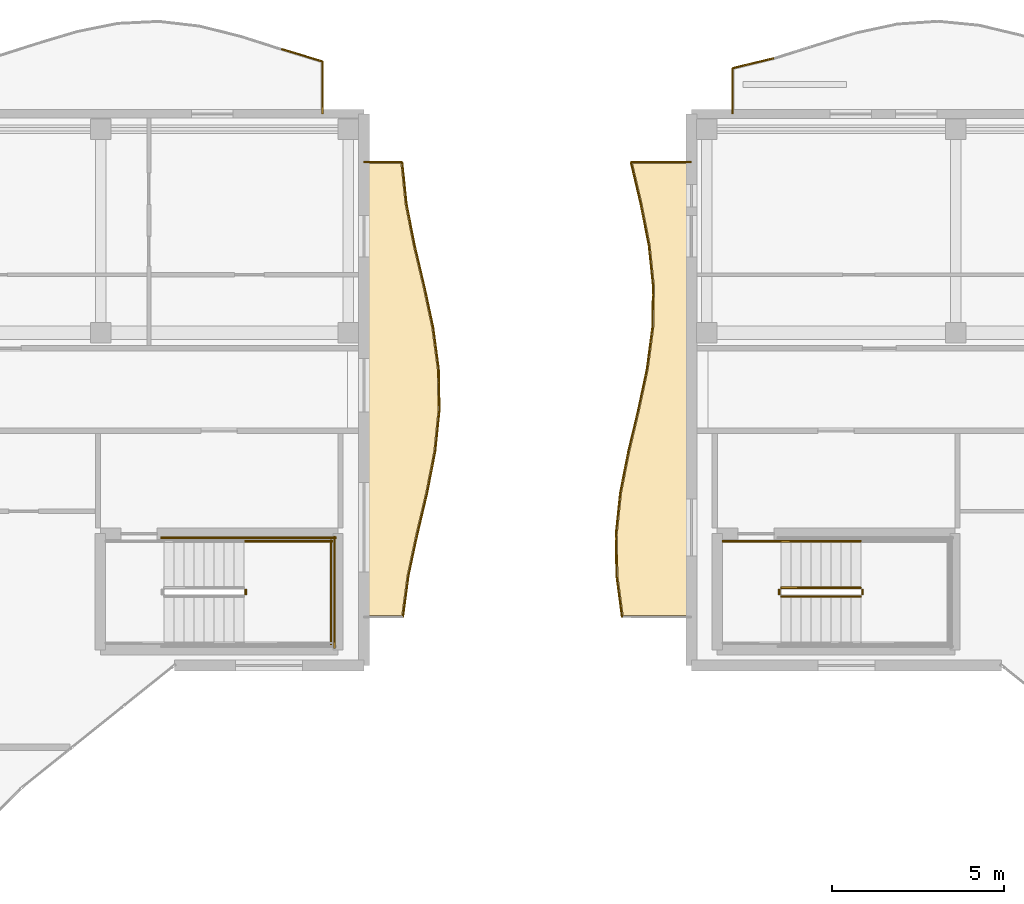
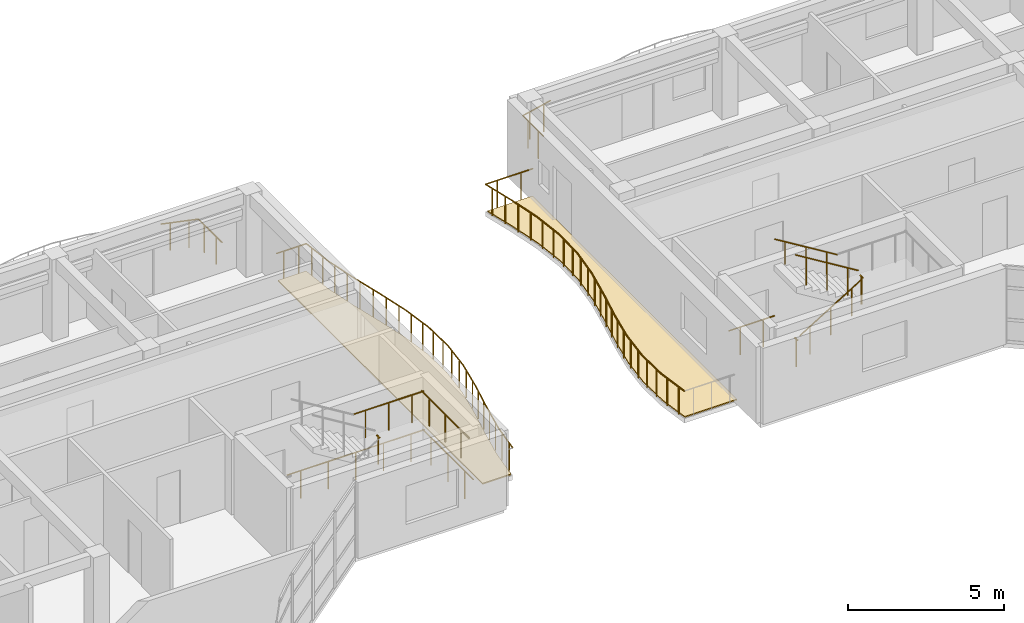
# One storey, part 70 of 72: 39 railings, 2 coverings.
"""IFC4 building model written with IfcOpenShell, lengths in metres."""

from ifc_helpers import new_model, si_unit, direction, frame, origin, origin_2d, place, context, subcontext, project, spatial, polyline, circle, outline, extrude, material, layer, layer_set, type_object, element, save


model = new_model("IFC4")

# Units and contexts
model_context = context("Model", 3, precision=1e-05, world=origin(), true_north=direction((0.0, 1.0)))
body_context = subcontext(model_context, "Body", "Model", "MODEL_VIEW")
ifc_project = project(units=[si_unit("LENGTHUNIT", "METRE"), si_unit("AREAUNIT", "SQUARE_METRE"), si_unit("VOLUMEUNIT", "CUBIC_METRE"), si_unit("PLANEANGLEUNIT", "RADIAN"), si_unit("MASSUNIT", "GRAM", prefix="KILO")], contexts=[model_context])

# Site, building, storey
site_placement = place(None, origin())
site = spatial("IfcSite", under=ifc_project, at=site_placement, CompositionType="ELEMENT")
building_placement = place(site_placement, origin())
building = spatial("IfcBuilding", under=site, at=building_placement, Name="Keldmere Railside Commons", CompositionType="ELEMENT")
storey_placement = place(building_placement, frame((0.0, 0.0, 16.9599609375)))
storey = spatial("IfcBuildingStorey", under=building, at=storey_placement, Name="L05", CompositionType="ELEMENT", Elevation=16.9599609375)

# Railings
ifc_material_1 = material(Name="Steel F-24 (S235)", Category="steel")
railing_type_1 = type_object("IfcRailingType", Name="Balcony & Terrace Steel Balustrade 1100", PredefinedType="BALUSTRADE", material=ifc_material_1)
railing_1_placement = place(storey_placement, frame((135.111328125, 117.88134765625, 0.0)))
element("IfcRailing", 1, at=railing_1_placement, inside=storey, type_object=railing_type_1, Name="GR-1 GRD-L05-2403", PredefinedType="BALUSTRADE", context=body_context, shape_type="SweptSolid", body=[
    extrude(circle(Radius=0.02392578125, at=origin_2d()), frame((0.0, 0.0, 1.076171875), z_axis=(0.9568308171, -0.290645466932, 0.0), x_axis=(0.290645466932, 0.9568308171, 0.0)), (0.0, 0.0, 1.0), 1.242431640625),
    extrude(circle(Radius=0.02099609375, at=origin_2d()), frame((0.297119140625, -0.09033203125, 0.0)), (0.0, 0.0, 1.0), 1.048095703125),
    extrude(circle(Radius=0.02099609375, at=origin_2d()), frame((0.8916015625, -0.270751953125, 0.0)), (0.0, 0.0, 1.0), 1.048095703125),
])
railing_2_placement = place(storey_placement, frame((136.300048828125, 117.520263671875, 0.0)))
element("IfcRailing", 2, at=railing_2_placement, inside=storey, type_object=railing_type_1, Name="GR-1 GRD-L05-2404", PredefinedType="BALUSTRADE", context=body_context, shape_type="SweptSolid", body=[
    extrude(circle(Radius=0.02392578125, at=origin_2d()), frame((0.0, 0.0, 1.076171875), z_axis=(0.0, -1.0, 0.0), x_axis=(1.0, 0.0, 0.0)), (0.0, 0.0, 1.0), 1.520263671875),
    extrude(circle(Radius=0.02099609375, at=origin_2d()), frame((0.0, -0.380126953125, 0.0)), (0.0, 0.0, 1.0), 1.048095703125),
    extrude(circle(Radius=0.02099609375, at=origin_2d()), frame((0.0, -1.14013671875, 0.0)), (0.0, 0.0, 1.0), 1.048095703125),
])
railing_3_placement = place(storey_placement, frame((138.631103515625, 101.39990234375, 0.0)))
element("IfcRailing", 3, at=railing_3_placement, inside=storey, type_object=railing_type_1, Name="GR-1 GRD-L05-2461", PredefinedType="BALUSTRADE", context=body_context, shape_type="SweptSolid", body=[
    extrude(circle(Radius=0.02392578125, at=origin_2d()), frame((0.0, 0.0, 1.076171875), z_axis=(0.132665550512, 0.991160860662, 0.0), x_axis=(-0.991160860662, 0.132665550512, 0.0)), (0.0, 0.0, 1.0), 1.2109375),
    extrude(circle(Radius=0.02099609375, at=origin_2d()), frame((0.0400390625, 0.300048828125, 0.0)), (0.0, 0.0, 1.0), 1.048095703125),
    extrude(circle(Radius=0.02099609375, at=origin_2d()), frame((0.12060546875, 0.900146484375, 0.0)), (0.0, 0.0, 1.0), 1.048095703125),
])
railing_4_placement = place(storey_placement, frame((138.791748046875, 102.60009765625, 0.0)))
element("IfcRailing", 4, at=railing_4_placement, inside=storey, type_object=railing_type_1, Name="GR-1 GRD-L05-2462", PredefinedType="BALUSTRADE", context=body_context, shape_type="SweptSolid", body=[
    extrude(circle(Radius=0.02392578125, at=origin_2d()), frame((0.0, 0.0, 1.076171875), z_axis=(0.20910785461, 0.977892583641, 0.0), x_axis=(-0.977892583641, 0.20910785461, 0.0)), (0.0, 0.0, 1.0), 1.22705078125),
    extrude(circle(Radius=0.02099609375, at=origin_2d()), frame((0.064208984375, 0.300048828125, 0.0)), (0.0, 0.0, 1.0), 1.048095703125),
    extrude(circle(Radius=0.02099609375, at=origin_2d()), frame((0.1923828125, 0.89990234375, 0.0)), (0.0, 0.0, 1.0), 1.048095703125),
])
railing_5_placement = place(storey_placement, frame((139.04833984375, 103.800048828125, 0.0)))
element("IfcRailing", 5, at=railing_5_placement, inside=storey, type_object=railing_type_1, Name="GR-1 GRD-L05-2463", PredefinedType="BALUSTRADE", context=body_context, shape_type="SweptSolid", body=[
    extrude(circle(Radius=0.02392578125, at=origin_2d()), frame((0.0, 0.0, 1.076171875), z_axis=(0.230264103004, 0.973128173915, 0.0), x_axis=(-0.973128173915, 0.230264103004, 0.0)), (0.0, 0.0, 1.0), 1.233154296875),
    extrude(circle(Radius=0.02099609375, at=origin_2d()), frame((0.071044921875, 0.300048828125, 0.0)), (0.0, 0.0, 1.0), 1.048095703125),
    extrude(circle(Radius=0.02099609375, at=origin_2d()), frame((0.212890625, 0.89990234375, 0.0)), (0.0, 0.0, 1.0), 1.048095703125),
])
railing_6_placement = place(storey_placement, frame((139.332275390625, 105.0, 0.0)))
element("IfcRailing", 6, at=railing_6_placement, inside=storey, type_object=railing_type_1, Name="GR-1 GRD-L05-2464", PredefinedType="BALUSTRADE", context=body_context, shape_type="SweptSolid", body=[
    extrude(circle(Radius=0.02392578125, at=origin_2d()), frame((0.0, 0.0, 1.076171875), z_axis=(0.192082676456, 0.981378747174, 0.0), x_axis=(-0.981378747174, 0.192082676456, 0.0)), (0.0, 0.0, 1.0), 1.22265625),
    extrude(circle(Radius=0.02099609375, at=origin_2d()), frame((0.05859375, 0.300048828125, 0.0)), (0.0, 0.0, 1.0), 1.048095703125),
    extrude(circle(Radius=0.02099609375, at=origin_2d()), frame((0.17626953125, 0.89990234375, 0.0)), (0.0, 0.0, 1.0), 1.048095703125),
])
railing_7_placement = place(storey_placement, frame((139.567138671875, 106.199951171875, 0.0)))
element("IfcRailing", 7, at=railing_7_placement, inside=storey, type_object=railing_type_1, Name="GR-1 GRD-L05-2465", PredefinedType="BALUSTRADE", context=body_context, shape_type="SweptSolid", body=[
    extrude(circle(Radius=0.02392578125, at=origin_2d()), frame((0.0, 0.0, 1.076171875), z_axis=(0.102208608031, 0.99476298707, 0.0), x_axis=(-0.99476298707, 0.102208608031, 0.0)), (0.0, 0.0, 1.0), 1.206298828125),
    extrude(circle(Radius=0.02099609375, at=origin_2d()), frame((0.03076171875, 0.300048828125, 0.0)), (0.0, 0.0, 1.0), 1.048095703125),
    extrude(circle(Radius=0.02099609375, at=origin_2d()), frame((0.092529296875, 0.89990234375, 0.0)), (0.0, 0.0, 1.0), 1.048095703125),
])
railing_8_placement = place(storey_placement, frame((139.6904296875, 107.39990234375, 0.0)))
element("IfcRailing", 8, at=railing_8_placement, inside=storey, type_object=railing_type_1, Name="GR-1 GRD-L05-2466", PredefinedType="BALUSTRADE", context=body_context, shape_type="SweptSolid", body=[
    extrude(circle(Radius=0.02392578125, at=origin_2d()), frame((0.0, 0.0, 1.076171875), z_axis=(-0.01789786497, 0.999839820386, 0.0), x_axis=(-0.999839820386, -0.01789786497, 0.0)), (0.0, 0.0, 1.0), 1.200439453125),
    extrude(circle(Radius=0.02099609375, at=origin_2d()), frame((-0.00537109375, 0.300048828125, 0.0)), (0.0, 0.0, 1.0), 1.048095703125),
    extrude(circle(Radius=0.02099609375, at=origin_2d()), frame((-0.01611328125, 0.900146484375, 0.0)), (0.0, 0.0, 1.0), 1.048095703125),
])
railing_9_placement = place(storey_placement, frame((139.6689453125, 108.60009765625, 0.0)))
element("IfcRailing", 9, at=railing_9_placement, inside=storey, type_object=railing_type_1, Name="GR-1 GRD-L05-2467", PredefinedType="BALUSTRADE", context=body_context, shape_type="SweptSolid", body=[
    extrude(circle(Radius=0.02392578125, at=origin_2d()), frame((0.0, 0.0, 1.076171875), z_axis=(-0.13269206728, 0.991157311067, 0.0), x_axis=(-0.991157311067, -0.13269206728, 0.0)), (0.0, 0.0, 1.0), 1.210693359375),
    extrude(circle(Radius=0.02099609375, at=origin_2d()), frame((-0.0400390625, 0.300048828125, 0.0)), (0.0, 0.0, 1.0), 1.048095703125),
    extrude(circle(Radius=0.02099609375, at=origin_2d()), frame((-0.12060546875, 0.89990234375, 0.0)), (0.0, 0.0, 1.0), 1.048095703125),
])
railing_10_placement = place(storey_placement, frame((139.50830078125, 109.800048828125, 0.0)))
element("IfcRailing", 10, at=railing_10_placement, inside=storey, type_object=railing_type_1, Name="GR-1 GRD-L05-2468", PredefinedType="BALUSTRADE", context=body_context, shape_type="SweptSolid", body=[
    extrude(circle(Radius=0.02392578125, at=origin_2d()), frame((0.0, 0.0, 1.076171875), z_axis=(-0.20910785461, 0.977892583641, 0.0), x_axis=(-0.977892583641, -0.20910785461, 0.0)), (0.0, 0.0, 1.0), 1.22705078125),
    extrude(circle(Radius=0.02099609375, at=origin_2d()), frame((-0.064208984375, 0.300048828125, 0.0)), (0.0, 0.0, 1.0), 1.048095703125),
    extrude(circle(Radius=0.02099609375, at=origin_2d()), frame((-0.1923828125, 0.89990234375, 0.0)), (0.0, 0.0, 1.0), 1.048095703125),
])
railing_11_placement = place(storey_placement, frame((139.251708984375, 111.0, 0.0)))
element("IfcRailing", 11, at=railing_11_placement, inside=storey, type_object=railing_type_1, Name="GR-1 GRD-L05-2469", PredefinedType="BALUSTRADE", context=body_context, shape_type="SweptSolid", body=[
    extrude(circle(Radius=0.02392578125, at=origin_2d()), frame((0.0, 0.0, 1.076171875), z_axis=(-0.230264103004, 0.973128173915, 0.0), x_axis=(-0.973128173915, -0.230264103004, 0.0)), (0.0, 0.0, 1.0), 1.233154296875),
    extrude(circle(Radius=0.02099609375, at=origin_2d()), frame((-0.071044921875, 0.300048828125, 0.0)), (0.0, 0.0, 1.0), 1.048095703125),
    extrude(circle(Radius=0.02099609375, at=origin_2d()), frame((-0.212890625, 0.89990234375, 0.0)), (0.0, 0.0, 1.0), 1.048095703125),
])
railing_12_placement = place(storey_placement, frame((138.9677734375, 112.199951171875, 0.0)))
element("IfcRailing", 12, at=railing_12_placement, inside=storey, type_object=railing_type_1, Name="GR-1 GRD-L05-2470", PredefinedType="BALUSTRADE", context=body_context, shape_type="SweptSolid", body=[
    extrude(circle(Radius=0.02392578125, at=origin_2d()), frame((0.0, 0.0, 1.076171875), z_axis=(-0.192082676456, 0.981378747174, 0.0), x_axis=(-0.981378747174, -0.192082676456, 0.0)), (0.0, 0.0, 1.0), 1.22265625),
    extrude(circle(Radius=0.02099609375, at=origin_2d()), frame((-0.05859375, 0.300048828125, 0.0)), (0.0, 0.0, 1.0), 1.048095703125),
    extrude(circle(Radius=0.02099609375, at=origin_2d()), frame((-0.17626953125, 0.89990234375, 0.0)), (0.0, 0.0, 1.0), 1.048095703125),
])
railing_13_placement = place(storey_placement, frame((138.73291015625, 113.39990234375, 0.0)))
element("IfcRailing", 13, at=railing_13_placement, inside=storey, type_object=railing_type_1, Name="GR-1 GRD-L05-2471", PredefinedType="BALUSTRADE", context=body_context, shape_type="SweptSolid", body=[
    extrude(circle(Radius=0.02392578125, at=origin_2d()), frame((0.0, 0.0, 1.076171875), z_axis=(-0.10218803415, 0.994765100753, 0.0), x_axis=(-0.994765100753, -0.10218803415, 0.0)), (0.0, 0.0, 1.0), 1.20654296875),
    extrude(circle(Radius=0.02099609375, at=origin_2d()), frame((-0.03076171875, 0.300048828125, 0.0)), (0.0, 0.0, 1.0), 1.048095703125),
    extrude(circle(Radius=0.02099609375, at=origin_2d()), frame((-0.092529296875, 0.900146484375, 0.0)), (0.0, 0.0, 1.0), 1.048095703125),
])
railing_14_placement = place(storey_placement, frame((138.609619140625, 114.60009765625, 0.0)))
element("IfcRailing", 14, at=railing_14_placement, inside=storey, type_object=railing_type_1, Name="GR-1 GRD-L05-2472", PredefinedType="BALUSTRADE", context=body_context, shape_type="SweptSolid", body=[
    extrude(circle(Radius=0.02392578125, at=origin_2d()), frame((0.0, 0.0, 1.076171875), z_axis=(-1.0, 0.0, 0.0), x_axis=(0.0, -1.0, 0.0)), (0.0, 0.0, 1.0), 1.109619140625),
    extrude(circle(Radius=0.02099609375, at=origin_2d()), frame((-0.27734375, 0.0, 0.0)), (0.0, 0.0, 1.0), 1.048095703125),
    extrude(circle(Radius=0.02099609375, at=origin_2d()), frame((-0.832275390625, 0.0, 0.0)), (0.0, 0.0, 1.0), 1.048095703125),
])
railing_15_placement = place(storey_placement, frame((148.199951171875, 116.0, 0.0)))
element("IfcRailing", 15, at=railing_15_placement, inside=storey, type_object=railing_type_1, Name="GR-1 GRD-L05-3688", PredefinedType="BALUSTRADE", context=body_context, shape_type="SweptSolid", body=[
    extrude(circle(Radius=0.02392578125, at=origin_2d()), frame((0.0, 0.0, 1.076171875), z_axis=(0.0, 1.0, 0.0), x_axis=(-1.0, 0.0, 0.0)), (0.0, 0.0, 1.0), 1.32568359375),
    extrude(circle(Radius=0.02099609375, at=origin_2d()), frame((0.0, 0.33154296875, 0.0)), (0.0, 0.0, 1.0), 1.048095703125),
    extrude(circle(Radius=0.02099609375, at=origin_2d()), frame((0.0, 0.994140625, 0.0)), (0.0, 0.0, 1.0), 1.048095703125),
])
railing_16_placement = place(storey_placement, frame((148.199951171875, 117.32568359375, 0.0)))
element("IfcRailing", 16, at=railing_16_placement, inside=storey, type_object=railing_type_1, Name="GR-1 GRD-L05-3689", PredefinedType="BALUSTRADE", context=body_context, shape_type="SweptSolid", body=[
    extrude(circle(Radius=0.02392578125, at=origin_2d()), frame((0.0, 0.0, 1.076171875), z_axis=(0.971792127951, 0.235839055402, 0.0), x_axis=(-0.235839055402, 0.971792127951, 0.0)), (0.0, 0.0, 1.0), 1.227783203125),
    extrude(circle(Radius=0.02099609375, at=origin_2d()), frame((0.29833984375, 0.072265625, 0.0)), (0.0, 0.0, 1.0), 1.048095703125),
    extrude(circle(Radius=0.02099609375, at=origin_2d()), frame((0.894775390625, 0.21728515625, 0.0)), (0.0, 0.0, 1.0), 1.048095703125),
])
railing_17_placement = place(storey_placement, frame((144.98876953125, 101.39990234375, 0.0)))
element("IfcRailing", 17, at=railing_17_placement, inside=storey, type_object=railing_type_1, Name="GR-1 GRD-L05-3796", PredefinedType="BALUSTRADE", context=body_context, shape_type="SweptSolid", body=[
    extrude(circle(Radius=0.02392578125, at=origin_2d()), frame((0.0, 0.0, 1.076171875), z_axis=(-0.131476840133, 0.991319242479, 0.0), x_axis=(-0.991319242479, -0.131476840133, 0.0)), (0.0, 0.0, 1.0), 1.210693359375),
    extrude(circle(Radius=0.02099609375, at=origin_2d()), frame((-0.039794921875, 0.300048828125, 0.0)), (0.0, 0.0, 1.0), 1.048095703125),
    extrude(circle(Radius=0.02099609375, at=origin_2d()), frame((-0.119384765625, 0.900146484375, 0.0)), (0.0, 0.0, 1.0), 1.048095703125),
])
railing_18_placement = place(storey_placement, frame((144.82958984375, 102.60009765625, 0.0)))
element("IfcRailing", 18, at=railing_18_placement, inside=storey, type_object=railing_type_1, Name="GR-1 GRD-L05-3797", PredefinedType="BALUSTRADE", context=body_context, shape_type="SweptSolid", body=[
    extrude(circle(Radius=0.02392578125, at=origin_2d()), frame((0.0, 0.0, 1.076171875), z_axis=(-0.016071169315, 0.999870850419, 0.0), x_axis=(-0.999870850419, -0.016071169315, 0.0)), (0.0, 0.0, 1.0), 1.2001953125),
    extrude(circle(Radius=0.02099609375, at=origin_2d()), frame((-0.0048828125, 0.300048828125, 0.0)), (0.0, 0.0, 1.0), 1.048095703125),
    extrude(circle(Radius=0.02099609375, at=origin_2d()), frame((-0.014404296875, 0.89990234375, 0.0)), (0.0, 0.0, 1.0), 1.048095703125),
])
railing_19_placement = place(storey_placement, frame((144.810302734375, 103.800048828125, 0.0)))
element("IfcRailing", 19, at=railing_19_placement, inside=storey, type_object=railing_type_1, Name="GR-1 GRD-L05-3798", PredefinedType="BALUSTRADE", context=body_context, shape_type="SweptSolid", body=[
    extrude(circle(Radius=0.02392578125, at=origin_2d()), frame((0.0, 0.0, 1.076171875), z_axis=(0.103610254916, 0.994617974439, 0.0), x_axis=(-0.994617974439, 0.103610254916, 0.0)), (0.0, 0.0, 1.0), 1.20654296875),
    extrude(circle(Radius=0.02099609375, at=origin_2d()), frame((0.03125, 0.300048828125, 0.0)), (0.0, 0.0, 1.0), 1.048095703125),
    extrude(circle(Radius=0.02099609375, at=origin_2d()), frame((0.09375, 0.89990234375, 0.0)), (0.0, 0.0, 1.0), 1.048095703125),
])
railing_20_placement = place(storey_placement, frame((144.935302734375, 105.0, 0.0)))
element("IfcRailing", 20, at=railing_20_placement, inside=storey, type_object=railing_type_1, Name="GR-1 GRD-L05-3799", PredefinedType="BALUSTRADE", context=body_context, shape_type="SweptSolid", body=[
    extrude(circle(Radius=0.02392578125, at=origin_2d()), frame((0.0, 0.0, 1.076171875), z_axis=(0.193236096476, 0.981152287374, 0.0), x_axis=(-0.981152287374, 0.193236096476, 0.0)), (0.0, 0.0, 1.0), 1.222900390625),
    extrude(circle(Radius=0.02099609375, at=origin_2d()), frame((0.05908203125, 0.300048828125, 0.0)), (0.0, 0.0, 1.0), 1.048095703125),
    extrude(circle(Radius=0.02099609375, at=origin_2d()), frame((0.17724609375, 0.89990234375, 0.0)), (0.0, 0.0, 1.0), 1.048095703125),
])
railing_21_placement = place(storey_placement, frame((145.171630859375, 106.199951171875, 0.0)))
element("IfcRailing", 21, at=railing_21_placement, inside=storey, type_object=railing_type_1, Name="GR-1 GRD-L05-3800", PredefinedType="BALUSTRADE", context=body_context, shape_type="SweptSolid", body=[
    extrude(circle(Radius=0.02392578125, at=origin_2d()), frame((0.0, 0.0, 1.076171875), z_axis=(0.230264103004, 0.973128173915, 0.0), x_axis=(-0.973128173915, 0.230264103004, 0.0)), (0.0, 0.0, 1.0), 1.233154296875),
    extrude(circle(Radius=0.02099609375, at=origin_2d()), frame((0.071044921875, 0.300048828125, 0.0)), (0.0, 0.0, 1.0), 1.048095703125),
    extrude(circle(Radius=0.02099609375, at=origin_2d()), frame((0.212890625, 0.89990234375, 0.0)), (0.0, 0.0, 1.0), 1.048095703125),
])
railing_22_placement = place(storey_placement, frame((145.45556640625, 107.39990234375, 0.0)))
element("IfcRailing", 22, at=railing_22_placement, inside=storey, type_object=railing_type_1, Name="GR-1 GRD-L05-3801", PredefinedType="BALUSTRADE", context=body_context, shape_type="SweptSolid", body=[
    extrude(circle(Radius=0.02392578125, at=origin_2d()), frame((0.0, 0.0, 1.076171875), z_axis=(0.208306078376, 0.978063687963, 0.0), x_axis=(-0.978063687963, 0.208306078376, 0.0)), (0.0, 0.0, 1.0), 1.22705078125),
    extrude(circle(Radius=0.02099609375, at=origin_2d()), frame((0.06396484375, 0.300048828125, 0.0)), (0.0, 0.0, 1.0), 1.048095703125),
    extrude(circle(Radius=0.02099609375, at=origin_2d()), frame((0.191650390625, 0.900146484375, 0.0)), (0.0, 0.0, 1.0), 1.048095703125),
])
railing_23_placement = place(storey_placement, frame((145.711181640625, 108.60009765625, 0.0)))
element("IfcRailing", 23, at=railing_23_placement, inside=storey, type_object=railing_type_1, Name="GR-1 GRD-L05-3802", PredefinedType="BALUSTRADE", context=body_context, shape_type="SweptSolid", body=[
    extrude(circle(Radius=0.02392578125, at=origin_2d()), frame((0.0, 0.0, 1.076171875), z_axis=(0.131503127708, 0.991315755652, 0.0), x_axis=(-0.991315755652, 0.131503127708, 0.0)), (0.0, 0.0, 1.0), 1.21044921875),
    extrude(circle(Radius=0.02099609375, at=origin_2d()), frame((0.039794921875, 0.300048828125, 0.0)), (0.0, 0.0, 1.0), 1.048095703125),
    extrude(circle(Radius=0.02099609375, at=origin_2d()), frame((0.119384765625, 0.89990234375, 0.0)), (0.0, 0.0, 1.0), 1.048095703125),
])
railing_24_placement = place(storey_placement, frame((145.870361328125, 109.800048828125, 0.0)))
element("IfcRailing", 24, at=railing_24_placement, inside=storey, type_object=railing_type_1, Name="GR-1 GRD-L05-3803", PredefinedType="BALUSTRADE", context=body_context, shape_type="SweptSolid", body=[
    extrude(circle(Radius=0.02392578125, at=origin_2d()), frame((0.0, 0.0, 1.076171875), z_axis=(0.016274548293, 0.999867560769, 0.0), x_axis=(-0.999867560769, 0.016274548293, 0.0)), (0.0, 0.0, 1.0), 1.2001953125),
    extrude(circle(Radius=0.02099609375, at=origin_2d()), frame((0.0048828125, 0.300048828125, 0.0)), (0.0, 0.0, 1.0), 1.048095703125),
    extrude(circle(Radius=0.02099609375, at=origin_2d()), frame((0.0146484375, 0.89990234375, 0.0)), (0.0, 0.0, 1.0), 1.048095703125),
])
railing_25_placement = place(storey_placement, frame((145.889892578125, 111.0, 0.0)))
element("IfcRailing", 25, at=railing_25_placement, inside=storey, type_object=railing_type_1, Name="GR-1 GRD-L05-3804", PredefinedType="BALUSTRADE", context=body_context, shape_type="SweptSolid", body=[
    extrude(circle(Radius=0.02392578125, at=origin_2d()), frame((0.0, 0.0, 1.076171875), z_axis=(-0.103810440003, 0.994597100612, 0.0), x_axis=(-0.994597100612, -0.103810440003, 0.0)), (0.0, 0.0, 1.0), 1.20654296875),
    extrude(circle(Radius=0.02099609375, at=origin_2d()), frame((-0.03125, 0.300048828125, 0.0)), (0.0, 0.0, 1.0), 1.048095703125),
    extrude(circle(Radius=0.02099609375, at=origin_2d()), frame((-0.093994140625, 0.89990234375, 0.0)), (0.0, 0.0, 1.0), 1.048095703125),
])
railing_26_placement = place(storey_placement, frame((145.7646484375, 112.199951171875, 0.0)))
element("IfcRailing", 26, at=railing_26_placement, inside=storey, type_object=railing_type_1, Name="GR-1 GRD-L05-3805", PredefinedType="BALUSTRADE", context=body_context, shape_type="SweptSolid", body=[
    extrude(circle(Radius=0.02392578125, at=origin_2d()), frame((0.0, 0.0, 1.076171875), z_axis=(-0.193236096476, 0.981152287374, 0.0), x_axis=(-0.981152287374, -0.193236096476, 0.0)), (0.0, 0.0, 1.0), 1.222900390625),
    extrude(circle(Radius=0.02099609375, at=origin_2d()), frame((-0.05908203125, 0.300048828125, 0.0)), (0.0, 0.0, 1.0), 1.048095703125),
    extrude(circle(Radius=0.02099609375, at=origin_2d()), frame((-0.17724609375, 0.89990234375, 0.0)), (0.0, 0.0, 1.0), 1.048095703125),
])
railing_27_placement = place(storey_placement, frame((145.5283203125, 113.39990234375, 0.0)))
element("IfcRailing", 27, at=railing_27_placement, inside=storey, type_object=railing_type_1, Name="GR-1 GRD-L05-3806", PredefinedType="BALUSTRADE", context=body_context, shape_type="SweptSolid", body=[
    extrude(circle(Radius=0.02392578125, at=origin_2d()), frame((0.0, 0.0, 1.076171875), z_axis=(-0.230219746073, 0.973138668699, 0.0), x_axis=(-0.973138668699, -0.230219746073, 0.0)), (0.0, 0.0, 1.0), 1.2333984375),
    extrude(circle(Radius=0.02099609375, at=origin_2d()), frame((-0.071044921875, 0.300048828125, 0.0)), (0.0, 0.0, 1.0), 1.048095703125),
    extrude(circle(Radius=0.02099609375, at=origin_2d()), frame((-0.212890625, 0.900146484375, 0.0)), (0.0, 0.0, 1.0), 1.048095703125),
])
railing_28_placement = place(storey_placement, frame((145.244384765625, 114.60009765625, 0.0)))
element("IfcRailing", 28, at=railing_28_placement, inside=storey, type_object=railing_type_1, Name="GR-1 GRD-L05-3807", PredefinedType="BALUSTRADE", context=body_context, shape_type="SweptSolid", body=[
    extrude(circle(Radius=0.02392578125, at=origin_2d()), frame((0.0, 0.0, 1.076171875), z_axis=(1.0, 0.0, 0.0), x_axis=(0.0, 1.0, 0.0)), (0.0, 0.0, 1.0), 1.755615234375),
    extrude(circle(Radius=0.02099609375, at=origin_2d()), frame((0.43896484375, 0.0, 0.0)), (0.0, 0.0, 1.0), 1.048095703125),
    extrude(circle(Radius=0.02099609375, at=origin_2d()), frame((1.316650390625, 0.0, 0.0)), (0.0, 0.0, 1.0), 1.048095703125),
])
railing_type_2 = type_object("IfcRailingType", Name="Stair Well Steel Guardrail 1100", PredefinedType="BALUSTRADE", material=ifc_material_1)
railing_29_placement = place(storey_placement, frame((134.070068359375, 102.050048828125, 1.60009765625)))
element("IfcRailing", 29, at=railing_29_placement, inside=storey, type_object=railing_type_2, Name="L05 ST-B2 stair guard 2", PredefinedType="BALUSTRADE", context=body_context, shape_type="SweptSolid", body=[
    extrude(circle(Radius=0.02392578125, at=origin_2d()), frame((0.0, 0.0, 1.076171875), z_axis=(0.0, 1.0, 0.0), x_axis=(-1.0, 0.0, 0.0)), (0.0, 0.0, 1.0), 0.14990234375),
    extrude(circle(Radius=0.02099609375, at=origin_2d()), frame((0.0, 0.074951171875, 0.0)), (0.0, 0.0, 1.0), 1.048095703125),
])
railing_30_placement = place(storey_placement, frame((134.02001953125, 103.60009765625, 1.60009765625)))
element("IfcRailing", 30, at=railing_30_placement, inside=storey, type_object=railing_type_2, Name="L05 ST-B2 stair guard 4", PredefinedType="BALUSTRADE", context=body_context, shape_type="SweptSolid", body=[
    extrude(circle(Radius=0.02392578125, at=origin_2d()), frame((0.0, 0.0, 1.076171875), z_axis=(1.0, 0.0, 0.0), x_axis=(0.0, 1.0, 0.0)), (0.0, 0.0, 1.0), 2.580078125),
    extrude(circle(Radius=0.02099609375, at=origin_2d()), frame((0.429931640625, 0.0, 0.0)), (0.0, 0.0, 1.0), 1.048095703125),
    extrude(circle(Radius=0.02099609375, at=origin_2d()), frame((1.2900390625, 0.0, 0.0)), (0.0, 0.0, 1.0), 1.048095703125),
    extrude(circle(Radius=0.02099609375, at=origin_2d()), frame((2.150146484375, 0.0, 0.0)), (0.0, 0.0, 1.0), 1.048095703125),
])
railing_31_placement = place(storey_placement, frame((136.550048828125, 100.60009765625, 1.60009765625)))
element("IfcRailing", 31, at=railing_31_placement, inside=storey, type_object=railing_type_2, Name="L05 ST-B2 stair guard 5", PredefinedType="BALUSTRADE", context=body_context, shape_type="SweptSolid", body=[
    extrude(circle(Radius=0.02392578125, at=origin_2d()), frame((0.0, 0.0, 1.076171875), z_axis=(0.0, 1.0, 0.0), x_axis=(-1.0, 0.0, 0.0)), (0.0, 0.0, 1.0), 3.0498046875),
    extrude(circle(Radius=0.02099609375, at=origin_2d()), frame((0.0, 0.50830078125, 0.0)), (0.0, 0.0, 1.0), 1.048095703125),
    extrude(circle(Radius=0.02099609375, at=origin_2d()), frame((0.0, 1.52490234375, 0.0)), (0.0, 0.0, 1.0), 1.048095703125),
    extrude(circle(Radius=0.02099609375, at=origin_2d()), frame((0.0, 2.54150390625, 0.0)), (0.0, 0.0, 1.0), 1.048095703125),
])
railing_32_placement = place(storey_placement, frame((131.60009765625, 103.699951171875, 0.0)))
element("IfcRailing", 32, at=railing_32_placement, inside=storey, type_object=railing_type_2, Name="L05 ST-B2 stair guard 11", PredefinedType="BALUSTRADE", context=body_context, shape_type="SweptSolid", body=[
    extrude(circle(Radius=0.02392578125, at=origin_2d()), frame((0.0, 0.0, 1.076171875), z_axis=(1.0, 0.0, 0.0), x_axis=(0.0, 1.0, 0.0)), (0.0, 0.0, 1.0), 5.099853515625),
    extrude(circle(Radius=0.02099609375, at=origin_2d()), frame((0.510009765625, 0.0, 0.0)), (0.0, 0.0, 1.0), 1.048095703125),
    extrude(circle(Radius=0.02099609375, at=origin_2d()), frame((1.530029296875, 0.0, 0.0)), (0.0, 0.0, 1.0), 1.048095703125),
    extrude(circle(Radius=0.02099609375, at=origin_2d()), frame((2.5498046875, 0.0, 0.0)), (0.0, 0.0, 1.0), 1.048095703125),
    extrude(circle(Radius=0.02099609375, at=origin_2d()), frame((3.56982421875, 0.0, 0.0)), (0.0, 0.0, 1.0), 1.048095703125),
    extrude(circle(Radius=0.02099609375, at=origin_2d()), frame((4.58984375, 0.0, 0.0)), (0.0, 0.0, 1.0), 1.048095703125),
])
railing_33_placement = place(storey_placement, frame((136.64990234375, 100.5, 0.0)))
element("IfcRailing", 33, at=railing_33_placement, inside=storey, type_object=railing_type_2, Name="L05 ST-B2 stair guard 12", PredefinedType="BALUSTRADE", context=body_context, shape_type="SweptSolid", body=[
    extrude(circle(Radius=0.02392578125, at=origin_2d()), frame((0.0, 0.0, 1.076171875), z_axis=(0.0, 1.0, 0.0), x_axis=(-1.0, 0.0, 0.0)), (0.0, 0.0, 1.0), 3.25),
    extrude(circle(Radius=0.02099609375, at=origin_2d()), frame((0.0, 0.541748046875, 0.0)), (0.0, 0.0, 1.0), 1.048095703125),
    extrude(circle(Radius=0.02099609375, at=origin_2d()), frame((0.0, 1.625, 0.0)), (0.0, 0.0, 1.0), 1.048095703125),
    extrude(circle(Radius=0.02099609375, at=origin_2d()), frame((0.0, 2.708251953125, 0.0)), (0.0, 0.0, 1.0), 1.048095703125),
])
railing_34_placement = place(storey_placement, frame((149.60009765625, 102.0, 0.177734375)))
element("IfcRailing", 34, at=railing_34_placement, inside=storey, type_object=railing_type_2, Name="L05 ST-A2 stair guard 1", PredefinedType="BALUSTRADE", context=body_context, shape_type="SweptSolid", body=[
    extrude(circle(Radius=0.02392578125, at=origin_2d()), frame((0.0, 0.0, 1.076171875), z_axis=(0.852513557019, 0.0, 0.522705112944), x_axis=(0.0, 1.0, 0.0)), (0.0, 0.0, 1.0), 2.72119140625),
    extrude(circle(Radius=0.02099609375, at=origin_2d()), frame((0.38671875, 0.0, 0.237060546875)), (0.0, 0.0, 1.0), 1.048095703125),
    extrude(circle(Radius=0.02099609375, at=origin_2d()), frame((1.159912109375, 0.0, 0.711181640625)), (0.0, 0.0, 1.0), 1.048095703125),
    extrude(circle(Radius=0.02099609375, at=origin_2d()), frame((1.93310546875, 0.0, 1.185302734375)), (0.0, 0.0, 1.0), 1.048095703125),
])
railing_35_placement = place(storey_placement, frame((151.969970703125, 102.050048828125, 1.60009765625)))
element("IfcRailing", 35, at=railing_35_placement, inside=storey, type_object=railing_type_2, Name="L05 ST-A2 stair guard 2", PredefinedType="BALUSTRADE", context=body_context, shape_type="SweptSolid", body=[
    extrude(circle(Radius=0.02392578125, at=origin_2d()), frame((0.0, 0.0, 1.076171875), z_axis=(0.0, 1.0, 0.0), x_axis=(-1.0, 0.0, 0.0)), (0.0, 0.0, 1.0), 0.14990234375),
    extrude(circle(Radius=0.02099609375, at=origin_2d()), frame((0.0, 0.074951171875, 0.0)), (0.0, 0.0, 1.0), 1.048095703125),
])
railing_36_placement = place(storey_placement, frame((151.919921875, 102.25, 1.77783203125)))
element("IfcRailing", 36, at=railing_36_placement, inside=storey, type_object=railing_type_2, Name="L05 ST-A2 stair guard 6", PredefinedType="BALUSTRADE", context=body_context, shape_type="SweptSolid", body=[
    extrude(circle(Radius=0.02392578125, at=origin_2d()), frame((0.0, 0.0, 1.076171875), z_axis=(-0.85255353654, 0.0, 0.522639902162), x_axis=(0.0, -1.0, 0.0)), (0.0, 0.0, 1.0), 2.720947265625),
    extrude(circle(Radius=0.02099609375, at=origin_2d()), frame((-0.38671875, 0.0, 0.237060546875)), (0.0, 0.0, 1.0), 1.048095703125),
    extrude(circle(Radius=0.02099609375, at=origin_2d()), frame((-1.159912109375, 0.0, 0.7109375)), (0.0, 0.0, 1.0), 1.048095703125),
    extrude(circle(Radius=0.02099609375, at=origin_2d()), frame((-1.93310546875, 0.0, 1.18505859375)), (0.0, 0.0, 1.0), 1.048095703125),
])
railing_37_placement = place(storey_placement, frame((149.550048828125, 102.050048828125, 0.0)))
element("IfcRailing", 37, at=railing_37_placement, inside=storey, type_object=railing_type_2, Name="L05 ST-A2 stair guard 7", PredefinedType="BALUSTRADE", context=body_context, shape_type="SweptSolid", body=[
    extrude(circle(Radius=0.02392578125, at=origin_2d()), frame((0.0, 0.0, 1.076171875), z_axis=(0.0, 1.0, 0.0), x_axis=(-1.0, 0.0, 0.0)), (0.0, 0.0, 1.0), 0.14990234375),
    extrude(circle(Radius=0.02099609375, at=origin_2d()), frame((0.0, 0.074951171875, 0.0)), (0.0, 0.0, 1.0), 1.048095703125),
])
railing_38_placement = place(storey_placement, frame((147.89990234375, 103.60009765625, 0.0)))
element("IfcRailing", 38, at=railing_38_placement, inside=storey, type_object=railing_type_2, Name="L05 ST-A2 stair guard 9", PredefinedType="BALUSTRADE", context=body_context, shape_type="SweptSolid", body=[
    extrude(circle(Radius=0.02392578125, at=origin_2d()), frame((0.0, 0.0, 1.076171875), z_axis=(1.0, 0.0, 0.0), x_axis=(0.0, 1.0, 0.0)), (0.0, 0.0, 1.0), 1.7001953125),
    extrude(circle(Radius=0.02099609375, at=origin_2d()), frame((0.425048828125, 0.0, 0.0)), (0.0, 0.0, 1.0), 1.048095703125),
    extrude(circle(Radius=0.02099609375, at=origin_2d()), frame((1.275146484375, 0.0, 0.0)), (0.0, 0.0, 1.0), 1.048095703125),
])
railing_type_3 = type_object("IfcRailingType", Name="Wall-Mounted Tubular Steel Handrail 900", PredefinedType="HANDRAIL", material=ifc_material_1)
railing_39_placement = place(storey_placement, frame((151.919921875, 103.60009765625, 1.77783203125)))
element("IfcRailing", 39, at=railing_39_placement, inside=storey, type_object=railing_type_3, Name="L05 ST-A2 stair handrail 2", PredefinedType="HANDRAIL", context=body_context, shape_type="SweptSolid", body=[
    extrude(circle(Radius=0.02392578125, at=origin_2d()), frame((0.0, 0.0, 0.8759765625), z_axis=(-0.85255353654, 0.0, 0.522639902162), x_axis=(0.0, -1.0, 0.0)), (0.0, 0.0, 1.0), 2.720947265625),
    extrude(circle(Radius=0.02099609375, at=origin_2d()), frame((-0.38671875, 0.0, 0.237060546875)), (0.0, 0.0, 1.0), 0.847900390625),
    extrude(circle(Radius=0.02099609375, at=origin_2d()), frame((-1.159912109375, 0.0, 0.7109375)), (0.0, 0.0, 1.0), 0.847900390625),
    extrude(circle(Radius=0.02099609375, at=origin_2d()), frame((-1.93310546875, 0.0, 1.18505859375)), (0.0, 0.0, 1.0), 0.847900390625),
])

# Coverings
ifc_material_2 = material(Name="White Precast Concrete C35/45", Category="concrete")
ifc_layer = layer(ifc_material_2, 0.044921875, Name="White Architectural Balcony Ribbon Cladding 45")
ifc_layer_set = layer_set([ifc_layer], Name="White Precast Concrete C35/45")
covering_type = type_object("IfcCoveringType", Name="White Architectural Balcony Ribbon Cladding 45", PredefinedType="FLOORING", material=ifc_layer_set)
covering_1_placement = place(storey_placement, origin())
element("IfcCovering", 40, at=covering_1_placement, inside=storey, type_object=covering_type, Name="CLG-WB B L05 WE White Balcony Ribbon", PredefinedType="FLOORING", context=body_context, shape_type="SweptSolid", body=[
    extrude(outline(polyline([(138.752197265625, 102.605224609375), (138.752685546875, 102.6083984375), (139.00927734375, 103.808349609375), (139.009521484375, 103.80908203125), (139.293212890625, 105.008544921875), (139.527587890625, 106.205810546875), (139.650390625, 107.401611328125), (139.62890625, 108.596923828125), (139.468994140625, 109.793212890625), (139.212646484375, 110.9912109375), (138.928955078125, 112.19091796875), (138.928466796875, 112.1923828125), (138.693603515625, 113.392333984375), (138.693115234375, 113.39599609375), (138.573486328125, 114.56005859375), (137.5400390625, 114.56005859375), (137.5400390625, 101.43994140625), (138.595947265625, 101.43994140625), (138.752197265625, 102.605224609375)])), origin(), (0.0, 0.0, 1.0), 0.044921875),
])
covering_2_placement = place(storey_placement, origin())
element("IfcCovering", 41, at=covering_2_placement, inside=storey, type_object=covering_type, Name="CLG-WB A L05 WW White Balcony Ribbon", PredefinedType="FLOORING", context=body_context, shape_type="SweptSolid", body=[
    extrude(outline(polyline([(146.9599609375, 114.56005859375), (145.294921875, 114.56005859375), (145.5673828125, 113.4091796875), (145.567626953125, 113.40771484375), (145.8037109375, 112.207763671875), (145.804443359375, 112.2041015625), (145.9296875, 111.004150390625), (145.9296875, 110.99951171875), (145.910400390625, 109.79931640625), (145.909912109375, 109.794677734375), (145.7509765625, 108.5947265625), (145.75048828125, 108.591796875), (145.49462890625, 107.3916015625), (145.494384765625, 107.390869140625), (145.210693359375, 106.19140625), (144.97509765625, 104.993896484375), (144.85009765625, 103.798095703125), (144.86962890625, 102.60302734375), (145.023681640625, 101.43994140625), (146.9599609375, 101.43994140625), (146.9599609375, 114.56005859375)])), origin(), (0.0, 0.0, 1.0), 0.044921875),
])

save(model, "model.ifc")
